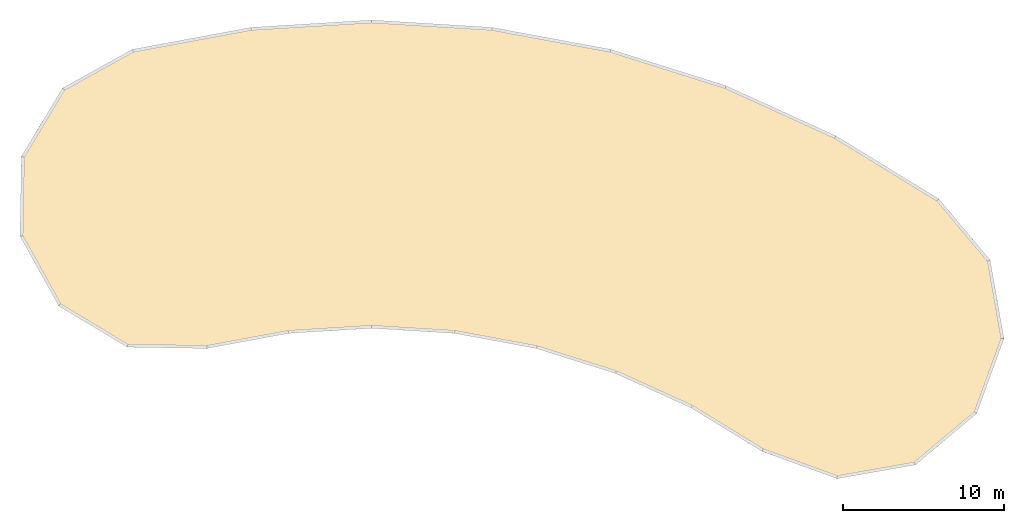
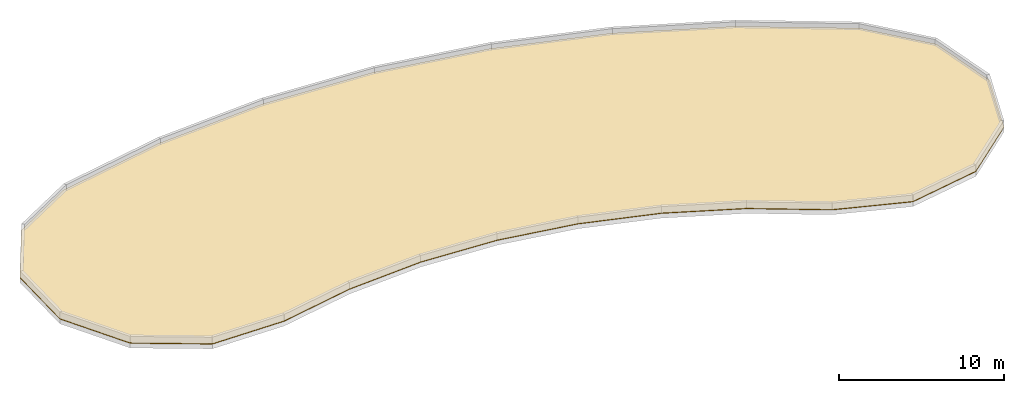
# One storey, part 2 of 2: 1 covering.
"""IFC4 building model written with IfcOpenShell, lengths in metres."""

from ifc_helpers import new_model, si_unit, direction, frame, origin, place, context, subcontext, project, spatial, polyline, outline, extrude, material, layer, layer_set, type_object, element, save


model = new_model("IFC4")

# Units and contexts
model_context = context("Model", 3, precision=1e-05, world=origin(), true_north=direction((0.0, 1.0)))
body_context = subcontext(model_context, "Body", "Model", "MODEL_VIEW")
ifc_project = project(units=[si_unit("LENGTHUNIT", "METRE"), si_unit("AREAUNIT", "SQUARE_METRE"), si_unit("VOLUMEUNIT", "CUBIC_METRE"), si_unit("PLANEANGLEUNIT", "RADIAN"), si_unit("MASSUNIT", "GRAM", prefix="KILO")], contexts=[model_context])

# Site, building, storey
site_placement = place(None, origin())
site = spatial("IfcSite", under=ifc_project, at=site_placement, CompositionType="ELEMENT")
building_placement = place(site_placement, origin())
building = spatial("IfcBuilding", under=site, at=building_placement, Name="Tarnwether General Hospital", CompositionType="ELEMENT")
storey_placement = place(building_placement, frame((0.0, 0.0, 33.89990234375)))
storey = spatial("IfcBuildingStorey", under=building, at=storey_placement, Name="RF", CompositionType="ELEMENT", Elevation=33.89990234375)

# Covering
ifc_material = material(Name="Elastomeric roof membrane")
ifc_layer = layer(ifc_material, 0.06005859375)
ifc_layer_set = layer_set([ifc_layer], Name="Elastomeric roof membrane")
covering_type = type_object("IfcCoveringType", Name="CV-RFG-MEM", PredefinedType="ROOFING", material=ifc_layer_set)
covering_placement = place(storey_placement, frame((0.0, 0.0, 0.330078125)))
element("IfcCovering", 1, at=covering_placement, inside=storey, type_object=covering_type, Name="Roof Covering CV-RFG-WNW", PredefinedType="ROOFING", context=body_context, shape_type="SweptSolid", body=[
    extrude(outline(polyline([(72.7509765625, 120.361083984375), (70.19189453125, 116.10107421875), (70.10498046875, 111.133056640625), (72.513916015625, 106.787109375), (76.77392578125, 104.22705078125), (81.742919921875, 104.14111328125), (86.8330078125, 105.083984375), (92.0, 105.39990234375), (97.1669921875, 105.083984375), (102.257080078125, 104.14111328125), (107.195068359375, 102.583984375), (111.906005859375, 100.43701171875), (116.320068359375, 97.73193359375), (120.989013671875, 96.031982421875), (125.883056640625, 96.89501953125), (129.68994140625, 100.090087890625), (131.388916015625, 104.759033203125), (130.527099609375, 109.653076171875), (127.33203125, 113.4599609375), (120.9189453125, 117.389892578125), (114.074951171875, 120.509033203125), (106.902099609375, 122.77001953125), (99.507080078125, 124.14111328125), (92.0, 124.60009765625), (84.492919921875, 124.14111328125), (77.097900390625, 122.77001953125), (72.7509765625, 120.361083984375)])), origin(), (0.0, 0.0, 1.0), 0.06005859375),
])

save(model, "model.ifc")
